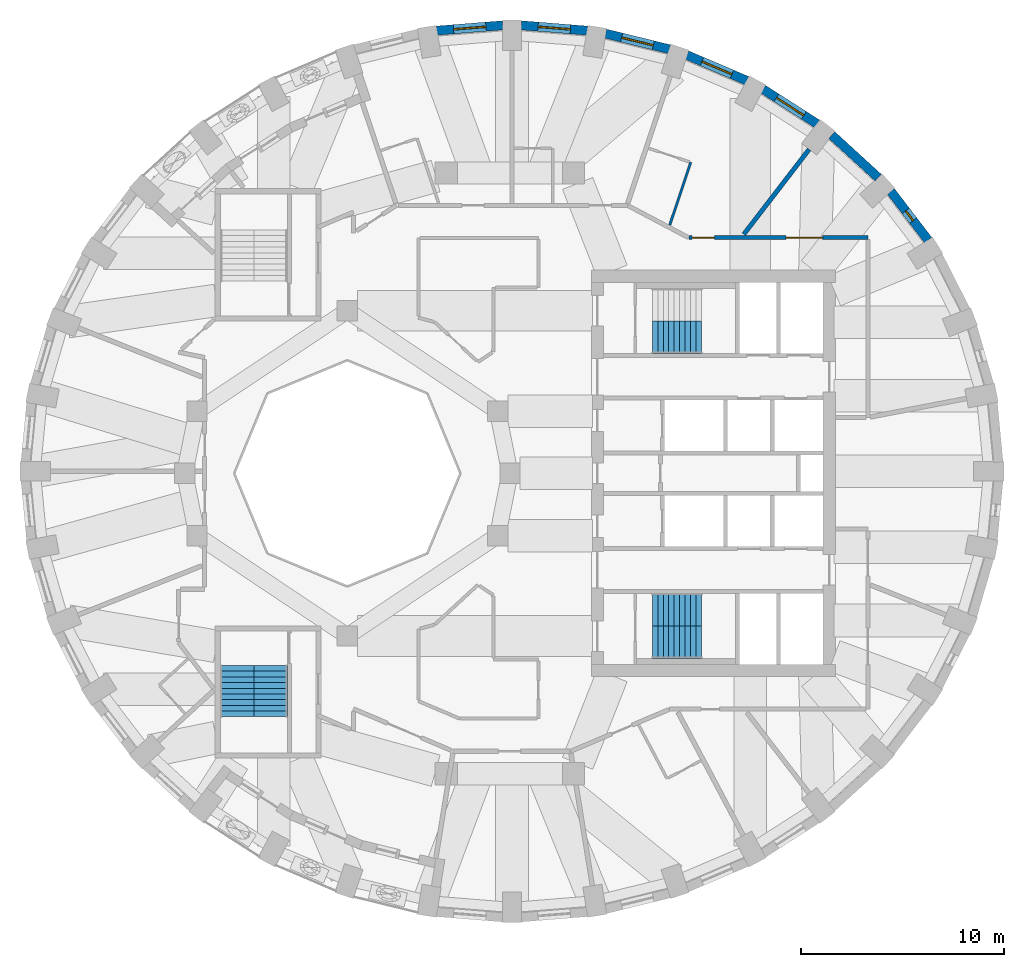
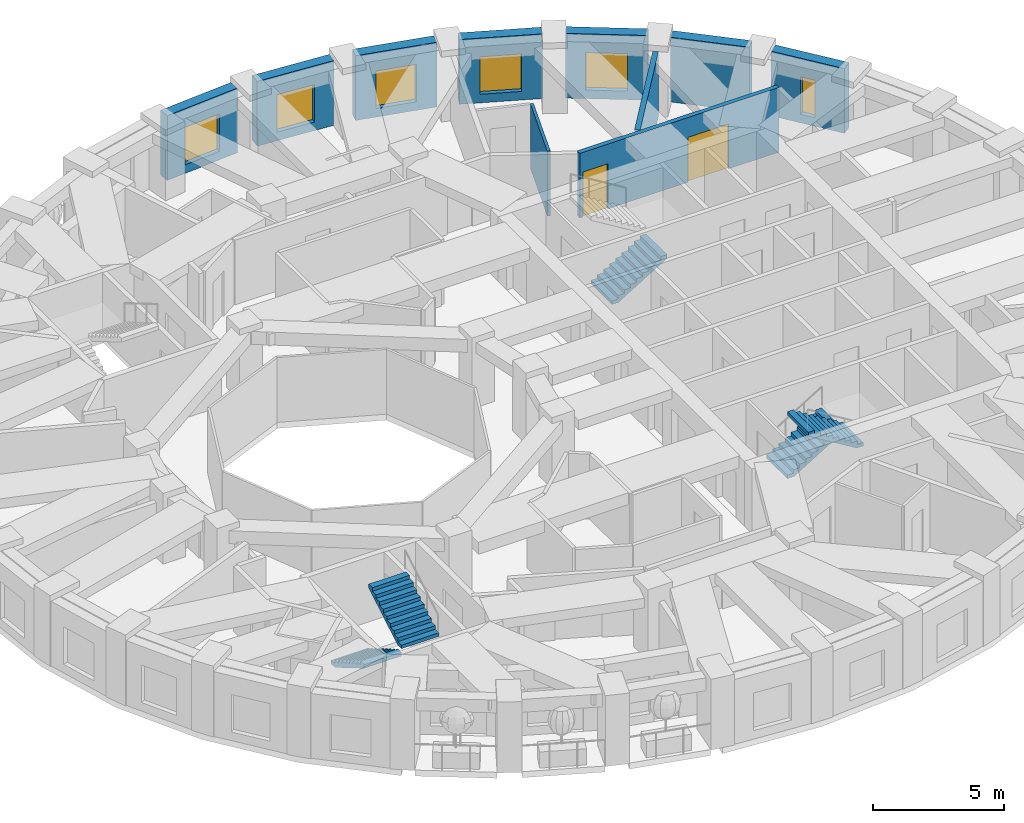
# One storey, part 8 of 12: 10 walls, 6 windows, 5 stair flights, 2 doors, 8 openings, 3 elements without a shape of their own.
"""IFC4 building model written with IfcOpenShell, lengths in metres."""

from ifc_helpers import new_model, si_unit, direction, frame, frame_2d, origin, place, context, subcontext, project, spatial, polyline, rectangle, outline, extrude, material, layer, layer_set, type_object, element, fill, aggregate, save


model = new_model("IFC4")

# Units and contexts
model_context = context("Model", 3, precision=1e-05, world=origin(), true_north=direction((0.0, 1.0)))
body_context = subcontext(model_context, "Body", "Model", "MODEL_VIEW")
ifc_project = project(units=[si_unit("LENGTHUNIT", "METRE"), si_unit("AREAUNIT", "SQUARE_METRE"), si_unit("VOLUMEUNIT", "CUBIC_METRE"), si_unit("PLANEANGLEUNIT", "RADIAN"), si_unit("MASSUNIT", "GRAM", prefix="KILO")], contexts=[model_context])

# Site, building, storey
site_placement = place(None, origin())
site = spatial("IfcSite", under=ifc_project, at=site_placement, CompositionType="ELEMENT")
building_placement = place(site_placement, origin())
building = spatial("IfcBuilding", under=site, at=building_placement, Name="Taillehof Tower", CompositionType="ELEMENT")
storey_placement = place(building_placement, frame((0.0, 0.0, 164.89990234375)))
storey = spatial("IfcBuildingStorey", under=building, at=storey_placement, Name="L46", CompositionType="ELEMENT", Elevation=164.89990234375)

# Wall, opening, window
ifc_material_1 = material(Name="Brick masonry", Category="masonry")
ifc_layer_1 = layer(ifc_material_1, 0.449951171875)
ifc_layer_set_1 = layer_set([ifc_layer_1], Name="Brick infill wall 450")
wall_type_1 = type_object("IfcWallType", Name="Brick infill wall 450", PredefinedType="SOLIDWALL", material=ifc_layer_set_1)
wall_1_placement = place(storey_placement, frame((20.573974609375, 11.467041015625, 0.0), z_axis=(0.0, 0.0, 1.0), x_axis=(-0.607817056371, 0.794077090706, 0.0)))
wall_1 = element("IfcWall", 1, at=wall_1_placement, inside=storey, type_object=wall_type_1, Name="Brick wall L46 bay 4", PredefinedType="SOLIDWALL", context=body_context, shape_type="SweptSolid", body=[
    extrude(rectangle(XDim=3.037109375, YDim=0.449951171875, at=frame_2d((1.5185546875, 0.0))), origin(), (0.0, 0.0, 1.0), 3.02001953125),
])
opening_1_placement = place(wall_1_placement, frame((1.218505859375, 0.0, 0.39990234375)))
opening_1 = element("IfcOpeningElement", 2, at=opening_1_placement, cuts=wall_1, Name="Opening W6", PredefinedType="OPENING", context=body_context, shape_type="SweptSolid", body=[
    extrude(rectangle(XDim=0.60009765625, YDim=1.75, at=frame_2d((0.300048828125, 0.875))), frame((0.0, 0.23486328125, 0.0), z_axis=(0.0, -1.0, 0.0), x_axis=(1.0, 0.0, 0.0)), (0.0, 0.0, 1.0), 0.469970703125),
])
ifc_material_2 = material(Name="Aluminium window frame with clear double glazing", Category="aluminium")
window_type_1 = type_object("IfcWindowType", Name="Slot window 600x1750", PartitioningType="SINGLE_PANEL", PredefinedType="WINDOW", material=ifc_material_2)
window_1_placement = place(opening_1_placement, origin())
window_1 = element("IfcWindow", 3, at=window_1_placement, inside=storey, type_object=window_type_1, Name="W6", OverallHeight=1.75, OverallWidth=0.60009765625, PartitioningType="SINGLE_PANEL", PredefinedType="WINDOW", context=body_context, shape_type="SweptSolid", body=[
    extrude(rectangle(XDim=0.60009765625, YDim=1.75, at=frame_2d((0.300048828125, 0.875))), frame((0.0, 0.034912109375, 0.0), z_axis=(0.0, -1.0, 0.0), x_axis=(1.0, 0.0, 0.0)), (0.0, 0.0, 1.0), 0.06005859375),
])
fill(opening_1, window_1)

# Wall
wall_2_placement = place(storey_placement, frame((18.11328125, 14.5498046875, 0.0), z_axis=(0.0, 0.0, 1.0), x_axis=(-0.737808755941, 0.675009807082, 0.0)))
element("IfcWall", 4, at=wall_2_placement, inside=storey, type_object=wall_type_1, Name="Brick wall L46 bay 5", PredefinedType="SOLIDWALL", context=body_context, shape_type="SweptSolid", body=[
    extrude(rectangle(XDim=3.094482421875, YDim=0.449951171875, at=frame_2d((1.54736328125, 0.0))), origin(), (0.0, 0.0, 1.0), 3.02001953125),
])

# Wall, opening, window
wall_3_placement = place(storey_placement, frame((15.1083984375, 17.193359375, 0.0), z_axis=(0.0, 0.0, 1.0), x_axis=(-0.842030726237, 0.539429565442, 0.0)))
wall_3 = element("IfcWall", 5, at=wall_3_placement, inside=storey, type_object=wall_type_1, Name="Brick wall L46 bay 6", PredefinedType="SOLIDWALL", context=body_context, shape_type="SweptSolid", body=[
    extrude(rectangle(XDim=3.1513671875, YDim=0.449951171875, at=frame_2d((1.57568359375, 0.0))), origin(), (0.0, 0.0, 1.0), 3.02001953125),
])
opening_2_placement = place(wall_3_placement, frame((0.775634765625, 0.0, 0.39990234375)))
opening_2 = element("IfcOpeningElement", 6, at=opening_2_placement, cuts=wall_3, Name="Opening W3", PredefinedType="OPENING", context=body_context, shape_type="SweptSolid", body=[
    extrude(rectangle(XDim=1.60009765625, YDim=1.75, at=frame_2d((0.800048828125, 0.875))), frame((0.0, 0.23486328125, 0.0), z_axis=(0.0, -1.0, 0.0), x_axis=(1.0, 0.0, 0.0)), (0.0, 0.0, 1.0), 0.469970703125),
])
ifc_material_3 = material(Name="Aluminium window frame with clear double glazing", Category="aluminium")
window_type_2 = type_object("IfcWindowType", Name="Deep-set window 1600x1750", PartitioningType="SINGLE_PANEL", PredefinedType="WINDOW", material=ifc_material_3)
window_2_placement = place(opening_2_placement, origin())
window_2 = element("IfcWindow", 7, at=window_2_placement, inside=storey, type_object=window_type_2, Name="W3", OverallHeight=1.75, OverallWidth=1.60009765625, PartitioningType="SINGLE_PANEL", PredefinedType="WINDOW", context=body_context, shape_type="SweptSolid", body=[
    extrude(rectangle(XDim=1.60009765625, YDim=1.75, at=frame_2d((0.800048828125, 0.875))), frame((0.0, 0.034912109375, 0.0), z_axis=(0.0, -1.0, 0.0), x_axis=(1.0, 0.0, 0.0)), (0.0, 0.0, 1.0), 0.06005859375),
])
fill(opening_2, window_2)

wall_4_placement = place(storey_placement, frame((11.650390625, 19.318603515625, 0.0), z_axis=(0.0, 0.0, 1.0), x_axis=(-0.91981046949, 0.392362969986, 0.0)))
wall_4 = element("IfcWall", 8, at=wall_4_placement, inside=storey, type_object=wall_type_1, Name="Brick wall L46 bay 7", PredefinedType="SOLIDWALL", context=body_context, shape_type="SweptSolid", body=[
    extrude(rectangle(XDim=3.20068359375, YDim=0.449951171875, at=frame_2d((1.600341796875, 0.0))), origin(), (0.0, 0.0, 1.0), 3.02001953125),
])
opening_3_placement = place(wall_4_placement, frame((0.80029296875, 0.0, 0.39990234375)))
opening_3 = element("IfcOpeningElement", 9, at=opening_3_placement, cuts=wall_4, Name="Opening W3", PredefinedType="OPENING", context=body_context, shape_type="SweptSolid", body=[
    extrude(rectangle(XDim=1.60009765625, YDim=1.75, at=frame_2d((0.800048828125, 0.875))), frame((0.0, 0.23486328125, 0.0), z_axis=(0.0, -1.0, 0.0), x_axis=(1.0, 0.0, 0.0)), (0.0, 0.0, 1.0), 0.469970703125),
])
window_3_placement = place(opening_3_placement, origin())
window_3 = element("IfcWindow", 10, at=window_3_placement, inside=storey, type_object=window_type_2, Name="W3", OverallHeight=1.75, OverallWidth=1.60009765625, PartitioningType="SINGLE_PANEL", PredefinedType="WINDOW", context=body_context, shape_type="SweptSolid", body=[
    extrude(rectangle(XDim=1.60009765625, YDim=1.75, at=frame_2d((0.800048828125, 0.875))), frame((0.0, 0.034912109375, 0.0), z_axis=(0.0, -1.0, 0.0), x_axis=(1.0, 0.0, 0.0)), (0.0, 0.0, 1.0), 0.06005859375),
])
fill(opening_3, window_3)

wall_5_placement = place(storey_placement, frame((7.843017578125, 20.8623046875, 0.0), z_axis=(0.0, 0.0, 1.0), x_axis=(-0.971237178372, 0.238114139328, 0.0)))
wall_5 = element("IfcWall", 11, at=wall_5_placement, inside=storey, type_object=wall_type_1, Name="Brick wall L46 bay 8", PredefinedType="SOLIDWALL", context=body_context, shape_type="SweptSolid", body=[
    extrude(rectangle(XDim=3.23681640625, YDim=0.449951171875, at=frame_2d((1.618408203125, 0.0))), origin(), (0.0, 0.0, 1.0), 3.02001953125),
])
opening_4_placement = place(wall_5_placement, frame((0.818359375, 0.0, 0.39990234375)))
opening_4 = element("IfcOpeningElement", 12, at=opening_4_placement, cuts=wall_5, Name="Opening W3", PredefinedType="OPENING", context=body_context, shape_type="SweptSolid", body=[
    extrude(rectangle(XDim=1.60009765625, YDim=1.75, at=frame_2d((0.800048828125, 0.875))), frame((0.0, 0.23486328125, 0.0), z_axis=(0.0, -1.0, 0.0), x_axis=(1.0, 0.0, 0.0)), (0.0, 0.0, 1.0), 0.469970703125),
])
window_4_placement = place(opening_4_placement, origin())
window_4 = element("IfcWindow", 13, at=window_4_placement, inside=storey, type_object=window_type_2, Name="W3", OverallHeight=1.75, OverallWidth=1.60009765625, PartitioningType="SINGLE_PANEL", PredefinedType="WINDOW", context=body_context, shape_type="SweptSolid", body=[
    extrude(rectangle(XDim=1.60009765625, YDim=1.75, at=frame_2d((0.800048828125, 0.875))), frame((0.0, 0.034912109375, 0.0), z_axis=(0.0, -1.0, 0.0), x_axis=(1.0, 0.0, 0.0)), (0.0, 0.0, 1.0), 0.06005859375),
])
fill(opening_4, window_4)

wall_6_placement = place(storey_placement, frame((3.80078125, 21.778076171875, 0.0), z_axis=(0.0, 0.0, 1.0), x_axis=(-0.996812416891, 0.079780984773, 0.0)))
wall_6 = element("IfcWall", 14, at=wall_6_placement, inside=storey, type_object=wall_type_1, Name="Brick wall L46 bay 9", PredefinedType="SOLIDWALL", context=body_context, shape_type="SweptSolid", body=[
    extrude(rectangle(XDim=3.256103515625, YDim=0.449951171875, at=frame_2d((1.6279296875, 0.0))), origin(), (0.0, 0.0, 1.0), 3.02001953125),
])
opening_5_placement = place(wall_6_placement, frame((0.827880859375, 0.0, 0.39990234375)))
opening_5 = element("IfcOpeningElement", 15, at=opening_5_placement, cuts=wall_6, Name="Opening W3", PredefinedType="OPENING", context=body_context, shape_type="SweptSolid", body=[
    extrude(rectangle(XDim=1.60009765625, YDim=1.75, at=frame_2d((0.800048828125, 0.875))), frame((0.0, 0.23486328125, 0.0), z_axis=(0.0, -1.0, 0.0), x_axis=(1.0, 0.0, 0.0)), (0.0, 0.0, 1.0), 0.469970703125),
])
window_5_placement = place(opening_5_placement, origin())
window_5 = element("IfcWindow", 16, at=window_5_placement, inside=storey, type_object=window_type_2, Name="W3", OverallHeight=1.75, OverallWidth=1.60009765625, PartitioningType="SINGLE_PANEL", PredefinedType="WINDOW", context=body_context, shape_type="SweptSolid", body=[
    extrude(rectangle(XDim=1.60009765625, YDim=1.75, at=frame_2d((0.800048828125, 0.875))), frame((0.0, 0.034912109375, 0.0), z_axis=(0.0, -1.0, 0.0), x_axis=(1.0, 0.0, 0.0)), (0.0, 0.0, 1.0), 0.06005859375),
])
fill(opening_5, window_5)

wall_7_placement = place(storey_placement, frame((-0.35498046875, 22.037841796875, 0.0), z_axis=(0.0, 0.0, 1.0), x_axis=(-0.996812416891, -0.079780984773, 0.0)))
wall_7 = element("IfcWall", 17, at=wall_7_placement, inside=storey, type_object=wall_type_1, Name="Brick wall L46 bay 10", PredefinedType="SOLIDWALL", context=body_context, shape_type="SweptSolid", body=[
    extrude(rectangle(XDim=3.256103515625, YDim=0.449951171875, at=frame_2d((1.6279296875, 0.0))), origin(), (0.0, 0.0, 1.0), 3.02001953125),
])
opening_6_placement = place(wall_7_placement, frame((0.827880859375, 0.0, 0.39990234375)))
opening_6 = element("IfcOpeningElement", 18, at=opening_6_placement, cuts=wall_7, Name="Opening W3", PredefinedType="OPENING", context=body_context, shape_type="SweptSolid", body=[
    extrude(rectangle(XDim=1.60009765625, YDim=1.75, at=frame_2d((0.800048828125, 0.875))), frame((0.0, 0.23486328125, 0.0), z_axis=(0.0, -1.0, 0.0), x_axis=(1.0, 0.0, 0.0)), (0.0, 0.0, 1.0), 0.469970703125),
])
window_6_placement = place(opening_6_placement, origin())
window_6 = element("IfcWindow", 19, at=window_6_placement, inside=storey, type_object=window_type_2, Name="W3", OverallHeight=1.75, OverallWidth=1.60009765625, PartitioningType="SINGLE_PANEL", PredefinedType="WINDOW", context=body_context, shape_type="SweptSolid", body=[
    extrude(rectangle(XDim=1.60009765625, YDim=1.75, at=frame_2d((0.800048828125, 0.875))), frame((0.0, 0.034912109375, 0.0), z_axis=(0.0, -1.0, 0.0), x_axis=(1.0, 0.0, 0.0)), (0.0, 0.0, 1.0), 0.06005859375),
])
fill(opening_6, window_6)

# Wall, openings, doors
ifc_material_4 = material(Name="Gypsum board on steel studs, two layers each side", Category="steel")
ifc_layer_2 = layer(ifc_material_4, 0.199951171875)
ifc_layer_set_2 = layer_set([ifc_layer_2], Name="Compartment wall corridor 200")
wall_type_2 = type_object("IfcWallType", Name="Compartment wall corridor 200", PredefinedType="PARTITIONING", material=ifc_layer_set_2)
wall_8_placement = place(storey_placement, frame((8.816650390625, 11.60009765625, 0.0), z_axis=(0.0, 0.0, 1.0), x_axis=(1.0, 0.0, 0.0)))
wall_8 = element("IfcWall", 20, at=wall_8_placement, inside=storey, type_object=wall_type_2, Name="Compartment wall", PredefinedType="PARTITIONING", context=body_context, shape_type="SweptSolid", body=[
    extrude(rectangle(XDim=8.783447265625, YDim=0.199951171875, at=frame_2d((4.3916015625, 0.0))), origin(), (0.0, 0.0, 1.0), 3.02001953125),
])
opening_7_placement = place(wall_8_placement, frame((0.139892578125, 0.0, 0.0)))
opening_7 = element("IfcOpeningElement", 21, at=opening_7_placement, cuts=wall_8, Name="Opening D4640", PredefinedType="OPENING", context=body_context, shape_type="SweptSolid", body=[
    extrude(rectangle(XDim=1.10009765625, YDim=2.10009765625, at=frame_2d((0.550048828125, 1.050048828125))), frame((0.0, 0.10986328125, 0.0), z_axis=(0.0, -1.0, 0.0), x_axis=(1.0, 0.0, 0.0)), (0.0, 0.0, 1.0), 0.219970703125),
])
opening_8_placement = place(wall_8_placement, frame((4.765625, 0.0, 0.0)))
opening_8 = element("IfcOpeningElement", 22, at=opening_8_placement, cuts=wall_8, Name="Opening D4659", PredefinedType="OPENING", context=body_context, shape_type="SweptSolid", body=[
    extrude(rectangle(XDim=1.800048828125, YDim=2.10009765625, at=frame_2d((0.89990234375, 1.050048828125))), frame((0.0, 0.10986328125, 0.0), z_axis=(0.0, -1.0, 0.0), x_axis=(1.0, 0.0, 0.0)), (0.0, 0.0, 1.0), 0.219970703125),
])
ifc_material_5 = material(Name="Timber door leaf in steel frame", Category="steel")
door_type_1 = type_object("IfcDoorType", Name="Accessible guest room door EI 30 1100 x 2100", OperationType="SINGLE_SWING_LEFT", PredefinedType="DOOR", material=ifc_material_5)
door_1_placement = place(opening_7_placement, origin())
door_1 = element("IfcDoor", 23, at=door_1_placement, inside=storey, type_object=door_type_1, Name="D4640", OperationType="SINGLE_SWING_LEFT", OverallHeight=2.10009765625, OverallWidth=1.10009765625, PredefinedType="DOOR", context=body_context, shape_type="SweptSolid", body=[
    extrude(rectangle(XDim=1.10009765625, YDim=2.10009765625, at=frame_2d((0.550048828125, 1.050048828125))), frame((0.0, 0.02490234375, 0.0), z_axis=(0.0, -1.0, 0.0), x_axis=(1.0, 0.0, 0.0)), (0.0, 0.0, 1.0), 0.050048828125),
])
fill(opening_7, door_1)
ifc_material_6 = material(Name="Timber door leaf in steel frame", Category="steel")
door_type_2 = type_object("IfcDoorType", Name="Lounge and meeting room double door EI 30 1800 x 2100", OperationType="SINGLE_SWING_LEFT", PredefinedType="DOOR", material=ifc_material_6)
door_2_placement = place(opening_8_placement, origin())
door_2 = element("IfcDoor", 24, at=door_2_placement, inside=storey, type_object=door_type_2, Name="D4659", OperationType="DOUBLE_DOOR_SINGLE_SWING", OverallHeight=2.10009765625, OverallWidth=1.800048828125, PredefinedType="DOOR", context=body_context, shape_type="SweptSolid", body=[
    extrude(rectangle(XDim=1.800048828125, YDim=2.10009765625, at=frame_2d((0.89990234375, 1.050048828125))), frame((0.0, 0.02490234375, 0.0), z_axis=(0.0, -1.0, 0.0), x_axis=(1.0, 0.0, 0.0)), (0.0, 0.0, 1.0), 0.050048828125),
])
fill(opening_8, door_2)

# Walls
ifc_material_7 = material(Name="Gypsum board on double steel studs with mineral wool", Category="steel")
ifc_layer_3 = layer(ifc_material_7, 0.219970703125)
ifc_layer_set_3 = layer_set([ifc_layer_3], Name="Compartment wall guest room 220")
wall_type_3 = type_object("IfcWallType", Name="Compartment wall guest room 220", PredefinedType="PARTITIONING", material=ifc_layer_set_3)
wall_9_placement = place(storey_placement, frame((14.7158203125, 15.937255859375, 0.0), z_axis=(0.0, 0.0, 1.0), x_axis=(-0.61000193202, -0.792399926131, 0.0)))
element("IfcWall", 25, at=wall_9_placement, inside=storey, type_object=wall_type_3, Name="Compartment wall", PredefinedType="PARTITIONING", context=body_context, shape_type="SweptSolid", body=[
    extrude(rectangle(XDim=5.26708984375, YDim=0.219970703125, at=frame_2d((2.633544921875, 0.0))), origin(), (0.0, 0.0, 1.0), 3.02001953125),
])
ifc_material_8 = material(Name="Gypsum board on steel studs, moisture resistant", Category="steel")
ifc_layer_4 = layer(ifc_material_8, 0.1201171875)
ifc_layer_set_4 = layer_set([ifc_layer_4], Name="En-suite wall 120")
wall_type_4 = type_object("IfcWallType", Name="En-suite wall 120", PredefinedType="PARTITIONING", material=ifc_layer_set_4)
wall_10_placement = place(storey_placement, frame((7.861572265625, 12.218994140625, 0.0), z_axis=(0.0, 0.0, 1.0), x_axis=(0.316678625352, 0.948532892548, 0.0)))
element("IfcWall", 26, at=wall_10_placement, inside=storey, type_object=wall_type_4, Name="En-suite wall", PredefinedType="PARTITIONING", context=body_context, shape_type="SweptSolid", body=[
    extrude(rectangle(XDim=3.248779296875, YDim=0.1201171875, at=frame_2d((1.62451171875, 0.0))), origin(), (0.0, 0.0, 1.0), 3.02001953125),
])

# Stair, stair flight
ifc_material_9 = material(Name="Concrete C40/50", Category="concrete")
stair_type = type_object("IfcStairType", Name="Exit stair half-turn", PredefinedType="HALF_TURN_STAIR", material=ifc_material_9)
stair_1_placement = place(storey_placement, origin())
stair_1 = element("IfcStair", 27, at=stair_1_placement, inside=storey, type_object=stair_type, Name="Exit stair S1", PredefinedType="HALF_TURN_STAIR")
ifc_material_10 = material(Name="Concrete C40/50", Category="concrete")
stair_flight_type_1 = type_object("IfcStairFlightType", Name="Stair flight 1600 riser 165.0 going 270", PredefinedType="STRAIGHT", material=ifc_material_10)
stair_flight_1_placement = place(storey_placement, frame((7.0, 6.699951171875, 0.0), z_axis=(0.0, 0.0, 1.0), x_axis=(1.0, 0.0, 0.0)))
stair_flight_1 = element("IfcStairFlight", 28, at=stair_flight_1_placement, type_object=stair_flight_type_1, Name="S1 flight 1", NumberOfRisers=10, NumberOfTreads=9, PredefinedType="STRAIGHT", RiserHeight=0.165, TreadLength=0.27, context=body_context, shape_type="SweptSolid", body=[
    extrude(outline(polyline([(0.0, 0.0), (0.0, 0.00537109375), (0.0, 0.0107421875), (0.0, 0.015869140625), (0.0, 0.021240234375), (0.0, 0.026611328125), (0.0, 0.031982421875), (0.0, 0.037353515625), (0.0, 0.04248046875), (0.0, 0.0478515625), (0.0, 0.05322265625), (0.0, 0.05859375), (0.0, 0.06396484375), (0.0, 0.069091796875), (0.0, 0.074462890625), (0.0, 0.079833984375), (0.0, 0.085205078125), (0.0, 0.090576171875), (0.0, 0.095703125), (0.0, 0.10107421875), (0.0, 0.1064453125), (0.0, 0.11181640625), (0.0, 0.1171875), (0.0, 0.122314453125), (0.0, 0.127685546875), (0.0, 0.133056640625), (0.0, 0.138427734375), (0.0, 0.143798828125), (0.0, 0.14892578125), (0.0, 0.154296875), (0.0, 0.15966796875), (0.0, 0.1650390625), (0.27001953125, 0.1650390625), (0.27001953125, 0.330078125), (0.5400390625, 0.330078125), (0.5400390625, 0.4951171875), (0.81005859375, 0.4951171875), (0.81005859375, 0.659912109375), (1.080078125, 0.659912109375), (1.080078125, 0.824951171875), (1.35009765625, 0.824951171875), (1.35009765625, 0.989990234375), (1.6201171875, 0.989990234375), (1.6201171875, 1.155029296875), (1.889892578125, 1.155029296875), (1.889892578125, 1.320068359375), (2.159912109375, 1.320068359375), (2.159912109375, 1.485107421875), (2.429931640625, 1.485107421875), (2.429931640625, 1.479248046875), (2.429931640625, 1.4736328125), (2.429931640625, 1.468017578125), (2.429931640625, 1.46240234375), (2.429931640625, 1.45654296875), (2.429931640625, 1.450927734375), (2.429931640625, 1.4453125), (2.429931640625, 1.439697265625), (2.429931640625, 1.43408203125), (2.429931640625, 1.42822265625), (2.429931640625, 1.422607421875), (2.429931640625, 1.4169921875), (2.429931640625, 1.411376953125), (2.429931640625, 1.40576171875), (2.429931640625, 1.39990234375), (2.429931640625, 1.394287109375), (2.429931640625, 1.388671875), (2.429931640625, 1.383056640625), (2.429931640625, 1.37744140625), (2.429931640625, 1.37158203125), (2.429931640625, 1.365966796875), (2.429931640625, 1.3603515625), (2.429931640625, 1.354736328125), (2.429931640625, 1.348876953125), (2.429931640625, 1.34326171875), (2.429931640625, 1.337646484375), (2.429931640625, 1.33203125), (2.429931640625, 1.326416015625), (2.429931640625, 1.320556640625), (2.429931640625, 1.31494140625), (2.429931640625, 1.309326171875), (0.287353515625, 0.0), (0.0, 0.0)])), frame((0.0, 0.800048828125, 0.0), z_axis=(0.0, -1.0, 0.0), x_axis=(1.0, 0.0, 0.0)), (0.0, 0.0, 1.0), 1.6),
])
aggregate(stair_1, [stair_flight_1])

# Stair, stair flights
stair_2_placement = place(storey_placement, origin())
stair_2 = element("IfcStair", 29, at=stair_2_placement, inside=storey, type_object=stair_type, Name="Exit stair S2", PredefinedType="HALF_TURN_STAIR")
stair_flight_2_placement = place(storey_placement, frame((7.0, -6.699951171875, 0.0), z_axis=(0.0, 0.0, 1.0), x_axis=(1.0, 0.0, 0.0)))
stair_flight_2 = element("IfcStairFlight", 30, at=stair_flight_2_placement, type_object=stair_flight_type_1, Name="S2 flight 1", NumberOfRisers=10, NumberOfTreads=9, PredefinedType="STRAIGHT", RiserHeight=0.165, TreadLength=0.27, context=body_context, shape_type="SweptSolid", body=[
    extrude(outline(polyline([(0.0, 0.0), (0.0, 0.00537109375), (0.0, 0.0107421875), (0.0, 0.015869140625), (0.0, 0.021240234375), (0.0, 0.026611328125), (0.0, 0.031982421875), (0.0, 0.037353515625), (0.0, 0.04248046875), (0.0, 0.0478515625), (0.0, 0.05322265625), (0.0, 0.05859375), (0.0, 0.06396484375), (0.0, 0.069091796875), (0.0, 0.074462890625), (0.0, 0.079833984375), (0.0, 0.085205078125), (0.0, 0.090576171875), (0.0, 0.095703125), (0.0, 0.10107421875), (0.0, 0.1064453125), (0.0, 0.11181640625), (0.0, 0.1171875), (0.0, 0.122314453125), (0.0, 0.127685546875), (0.0, 0.133056640625), (0.0, 0.138427734375), (0.0, 0.143798828125), (0.0, 0.14892578125), (0.0, 0.154296875), (0.0, 0.15966796875), (0.0, 0.1650390625), (0.27001953125, 0.1650390625), (0.27001953125, 0.330078125), (0.5400390625, 0.330078125), (0.5400390625, 0.4951171875), (0.81005859375, 0.4951171875), (0.81005859375, 0.659912109375), (1.080078125, 0.659912109375), (1.080078125, 0.824951171875), (1.35009765625, 0.824951171875), (1.35009765625, 0.989990234375), (1.6201171875, 0.989990234375), (1.6201171875, 1.155029296875), (1.889892578125, 1.155029296875), (1.889892578125, 1.320068359375), (2.159912109375, 1.320068359375), (2.159912109375, 1.485107421875), (2.429931640625, 1.485107421875), (2.429931640625, 1.479248046875), (2.429931640625, 1.4736328125), (2.429931640625, 1.468017578125), (2.429931640625, 1.46240234375), (2.429931640625, 1.45654296875), (2.429931640625, 1.450927734375), (2.429931640625, 1.4453125), (2.429931640625, 1.439697265625), (2.429931640625, 1.43408203125), (2.429931640625, 1.42822265625), (2.429931640625, 1.422607421875), (2.429931640625, 1.4169921875), (2.429931640625, 1.411376953125), (2.429931640625, 1.40576171875), (2.429931640625, 1.39990234375), (2.429931640625, 1.394287109375), (2.429931640625, 1.388671875), (2.429931640625, 1.383056640625), (2.429931640625, 1.37744140625), (2.429931640625, 1.37158203125), (2.429931640625, 1.365966796875), (2.429931640625, 1.3603515625), (2.429931640625, 1.354736328125), (2.429931640625, 1.348876953125), (2.429931640625, 1.34326171875), (2.429931640625, 1.337646484375), (2.429931640625, 1.33203125), (2.429931640625, 1.326416015625), (2.429931640625, 1.320556640625), (2.429931640625, 1.31494140625), (2.429931640625, 1.309326171875), (0.287353515625, 0.0), (0.0, 0.0)])), frame((0.0, 0.800048828125, 0.0), z_axis=(0.0, -1.0, 0.0), x_axis=(1.0, 0.0, 0.0)), (0.0, 0.0, 1.0), 1.6),
])
stair_flight_3_placement = place(storey_placement, frame((9.429931640625, -8.300048828125, 1.650146484375), z_axis=(0.0, 0.0, 1.0), x_axis=(-1.0, 0.0, 0.0)))
stair_flight_3 = element("IfcStairFlight", 31, at=stair_flight_3_placement, type_object=stair_flight_type_1, Name="S2 flight 2", NumberOfRisers=10, NumberOfTreads=9, PredefinedType="STRAIGHT", RiserHeight=0.165, TreadLength=0.27, context=body_context, shape_type="SweptSolid", body=[
    extrude(outline(polyline([(0.0, 0.0), (0.0, 0.00537109375), (0.0, 0.0107421875), (0.0, 0.015869140625), (0.0, 0.021240234375), (0.0, 0.026611328125), (0.0, 0.031982421875), (0.0, 0.037353515625), (0.0, 0.04248046875), (0.0, 0.0478515625), (0.0, 0.05322265625), (0.0, 0.05859375), (0.0, 0.06396484375), (0.0, 0.069091796875), (0.0, 0.074462890625), (0.0, 0.079833984375), (0.0, 0.085205078125), (0.0, 0.090576171875), (0.0, 0.095703125), (0.0, 0.10107421875), (0.0, 0.1064453125), (0.0, 0.11181640625), (0.0, 0.1171875), (0.0, 0.122314453125), (0.0, 0.127685546875), (0.0, 0.133056640625), (0.0, 0.138427734375), (0.0, 0.143798828125), (0.0, 0.14892578125), (0.0, 0.154296875), (0.0, 0.15966796875), (0.0, 0.1650390625), (0.27001953125, 0.1650390625), (0.27001953125, 0.330078125), (0.5400390625, 0.330078125), (0.5400390625, 0.4951171875), (0.81005859375, 0.4951171875), (0.81005859375, 0.659912109375), (1.080078125, 0.659912109375), (1.080078125, 0.824951171875), (1.35009765625, 0.824951171875), (1.35009765625, 0.989990234375), (1.6201171875, 0.989990234375), (1.6201171875, 1.155029296875), (1.889892578125, 1.155029296875), (1.889892578125, 1.320068359375), (2.159912109375, 1.320068359375), (2.159912109375, 1.485107421875), (2.429931640625, 1.485107421875), (2.429931640625, 1.479248046875), (2.429931640625, 1.4736328125), (2.429931640625, 1.468017578125), (2.429931640625, 1.46240234375), (2.429931640625, 1.45654296875), (2.429931640625, 1.450927734375), (2.429931640625, 1.4453125), (2.429931640625, 1.439697265625), (2.429931640625, 1.43408203125), (2.429931640625, 1.42822265625), (2.429931640625, 1.422607421875), (2.429931640625, 1.4169921875), (2.429931640625, 1.411376953125), (2.429931640625, 1.40576171875), (2.429931640625, 1.39990234375), (2.429931640625, 1.394287109375), (2.429931640625, 1.388671875), (2.429931640625, 1.383056640625), (2.429931640625, 1.37744140625), (2.429931640625, 1.37158203125), (2.429931640625, 1.365966796875), (2.429931640625, 1.3603515625), (2.429931640625, 1.354736328125), (2.429931640625, 1.348876953125), (2.429931640625, 1.34326171875), (2.429931640625, 1.337646484375), (2.429931640625, 1.33203125), (2.429931640625, 1.326416015625), (2.429931640625, 1.320556640625), (2.429931640625, 1.31494140625), (2.429931640625, 1.309326171875), (0.287353515625, 0.0), (0.0, 0.0)])), frame((0.0, 0.800048828125, 0.0), z_axis=(0.0, -1.0, 0.0), x_axis=(1.0, 0.0, 0.0)), (0.0, 0.0, 1.0), 1.6),
])
aggregate(stair_2, [stair_flight_2, stair_flight_3])

stair_3_placement = place(storey_placement, origin())
stair_3 = element("IfcStair", 32, at=stair_3_placement, inside=storey, type_object=stair_type, Name="Exit stair S4", PredefinedType="HALF_TURN_STAIR")
ifc_material_11 = material(Name="Concrete C40/50", Category="concrete")
stair_flight_type_2 = type_object("IfcStairFlightType", Name="Stair flight 1650 riser 165.0 going 280", PredefinedType="STRAIGHT", material=ifc_material_11)
stair_flight_4_placement = place(storey_placement, frame((-13.425048828125, -9.449951171875, 0.0), z_axis=(0.0, 0.0, 1.0), x_axis=(0.0, -1.0, 0.0)))
stair_flight_4 = element("IfcStairFlight", 33, at=stair_flight_4_placement, type_object=stair_flight_type_2, Name="S4 flight 1", NumberOfRisers=10, NumberOfTreads=9, PredefinedType="STRAIGHT", RiserHeight=0.165, TreadLength=0.28, context=body_context, shape_type="SweptSolid", body=[
    extrude(outline(polyline([(0.0, 0.0), (0.0, 0.00537109375), (0.0, 0.0107421875), (0.0, 0.015869140625), (0.0, 0.021240234375), (0.0, 0.026611328125), (0.0, 0.031982421875), (0.0, 0.037353515625), (0.0, 0.04248046875), (0.0, 0.0478515625), (0.0, 0.05322265625), (0.0, 0.05859375), (0.0, 0.06396484375), (0.0, 0.069091796875), (0.0, 0.074462890625), (0.0, 0.079833984375), (0.0, 0.085205078125), (0.0, 0.090576171875), (0.0, 0.095703125), (0.0, 0.10107421875), (0.0, 0.1064453125), (0.0, 0.11181640625), (0.0, 0.1171875), (0.0, 0.122314453125), (0.0, 0.127685546875), (0.0, 0.133056640625), (0.0, 0.138427734375), (0.0, 0.143798828125), (0.0, 0.14892578125), (0.0, 0.154296875), (0.0, 0.15966796875), (0.0, 0.1650390625), (0.280029296875, 0.1650390625), (0.280029296875, 0.330078125), (0.56005859375, 0.330078125), (0.56005859375, 0.4951171875), (0.840087890625, 0.4951171875), (0.840087890625, 0.659912109375), (1.1201171875, 0.659912109375), (1.1201171875, 0.824951171875), (1.39990234375, 0.824951171875), (1.39990234375, 0.989990234375), (1.679931640625, 0.989990234375), (1.679931640625, 1.155029296875), (1.9599609375, 1.155029296875), (1.9599609375, 1.320068359375), (2.239990234375, 1.320068359375), (2.239990234375, 1.485107421875), (2.52001953125, 1.485107421875), (2.52001953125, 1.4794921875), (2.52001953125, 1.473876953125), (2.52001953125, 1.46826171875), (2.52001953125, 1.462646484375), (2.52001953125, 1.45703125), (2.52001953125, 1.451416015625), (2.52001953125, 1.44580078125), (2.52001953125, 1.440185546875), (2.52001953125, 1.4345703125), (2.52001953125, 1.428955078125), (2.52001953125, 1.42333984375), (2.52001953125, 1.417724609375), (2.52001953125, 1.412109375), (2.52001953125, 1.406494140625), (2.52001953125, 1.40087890625), (2.52001953125, 1.395263671875), (2.52001953125, 1.3896484375), (2.52001953125, 1.384033203125), (2.52001953125, 1.37841796875), (2.52001953125, 1.372802734375), (2.52001953125, 1.3671875), (2.52001953125, 1.361572265625), (2.52001953125, 1.35595703125), (2.52001953125, 1.350341796875), (2.52001953125, 1.3447265625), (2.52001953125, 1.339111328125), (2.52001953125, 1.33349609375), (2.52001953125, 1.327880859375), (2.52001953125, 1.322265625), (2.52001953125, 1.316650390625), (2.52001953125, 1.31103515625), (0.295166015625, 0.0), (0.0, 0.0)])), frame((0.0, 0.824951171875, 0.0), z_axis=(0.0, -1.0, 0.0), x_axis=(1.0, 0.0, 0.0)), (0.0, 0.0, 1.0), 1.65),
])
stair_flight_5_placement = place(storey_placement, frame((-11.77490234375, -11.969970703125, 1.650146484375), z_axis=(0.0, 0.0, 1.0), x_axis=(0.0, 1.0, 0.0)))
stair_flight_5 = element("IfcStairFlight", 34, at=stair_flight_5_placement, type_object=stair_flight_type_2, Name="S4 flight 2", NumberOfRisers=10, NumberOfTreads=9, PredefinedType="STRAIGHT", RiserHeight=0.165, TreadLength=0.28, context=body_context, shape_type="SweptSolid", body=[
    extrude(outline(polyline([(0.0, 0.0), (0.0, 0.00537109375), (0.0, 0.0107421875), (0.0, 0.015869140625), (0.0, 0.021240234375), (0.0, 0.026611328125), (0.0, 0.031982421875), (0.0, 0.037353515625), (0.0, 0.04248046875), (0.0, 0.0478515625), (0.0, 0.05322265625), (0.0, 0.05859375), (0.0, 0.06396484375), (0.0, 0.069091796875), (0.0, 0.074462890625), (0.0, 0.079833984375), (0.0, 0.085205078125), (0.0, 0.090576171875), (0.0, 0.095703125), (0.0, 0.10107421875), (0.0, 0.1064453125), (0.0, 0.11181640625), (0.0, 0.1171875), (0.0, 0.122314453125), (0.0, 0.127685546875), (0.0, 0.133056640625), (0.0, 0.138427734375), (0.0, 0.143798828125), (0.0, 0.14892578125), (0.0, 0.154296875), (0.0, 0.15966796875), (0.0, 0.1650390625), (0.280029296875, 0.1650390625), (0.280029296875, 0.330078125), (0.56005859375, 0.330078125), (0.56005859375, 0.4951171875), (0.840087890625, 0.4951171875), (0.840087890625, 0.659912109375), (1.1201171875, 0.659912109375), (1.1201171875, 0.824951171875), (1.39990234375, 0.824951171875), (1.39990234375, 0.989990234375), (1.679931640625, 0.989990234375), (1.679931640625, 1.155029296875), (1.9599609375, 1.155029296875), (1.9599609375, 1.320068359375), (2.239990234375, 1.320068359375), (2.239990234375, 1.485107421875), (2.52001953125, 1.485107421875), (2.52001953125, 1.4794921875), (2.52001953125, 1.473876953125), (2.52001953125, 1.46826171875), (2.52001953125, 1.462646484375), (2.52001953125, 1.45703125), (2.52001953125, 1.451416015625), (2.52001953125, 1.44580078125), (2.52001953125, 1.440185546875), (2.52001953125, 1.4345703125), (2.52001953125, 1.428955078125), (2.52001953125, 1.42333984375), (2.52001953125, 1.417724609375), (2.52001953125, 1.412109375), (2.52001953125, 1.406494140625), (2.52001953125, 1.40087890625), (2.52001953125, 1.395263671875), (2.52001953125, 1.3896484375), (2.52001953125, 1.384033203125), (2.52001953125, 1.37841796875), (2.52001953125, 1.372802734375), (2.52001953125, 1.3671875), (2.52001953125, 1.361572265625), (2.52001953125, 1.35595703125), (2.52001953125, 1.350341796875), (2.52001953125, 1.3447265625), (2.52001953125, 1.339111328125), (2.52001953125, 1.33349609375), (2.52001953125, 1.327880859375), (2.52001953125, 1.322265625), (2.52001953125, 1.316650390625), (2.52001953125, 1.31103515625), (0.295166015625, 0.0), (0.0, 0.0)])), frame((0.0, 0.824951171875, 0.0), z_axis=(0.0, -1.0, 0.0), x_axis=(1.0, 0.0, 0.0)), (0.0, 0.0, 1.0), 1.65),
])
aggregate(stair_3, [stair_flight_4, stair_flight_5])

save(model, "model.ifc")
